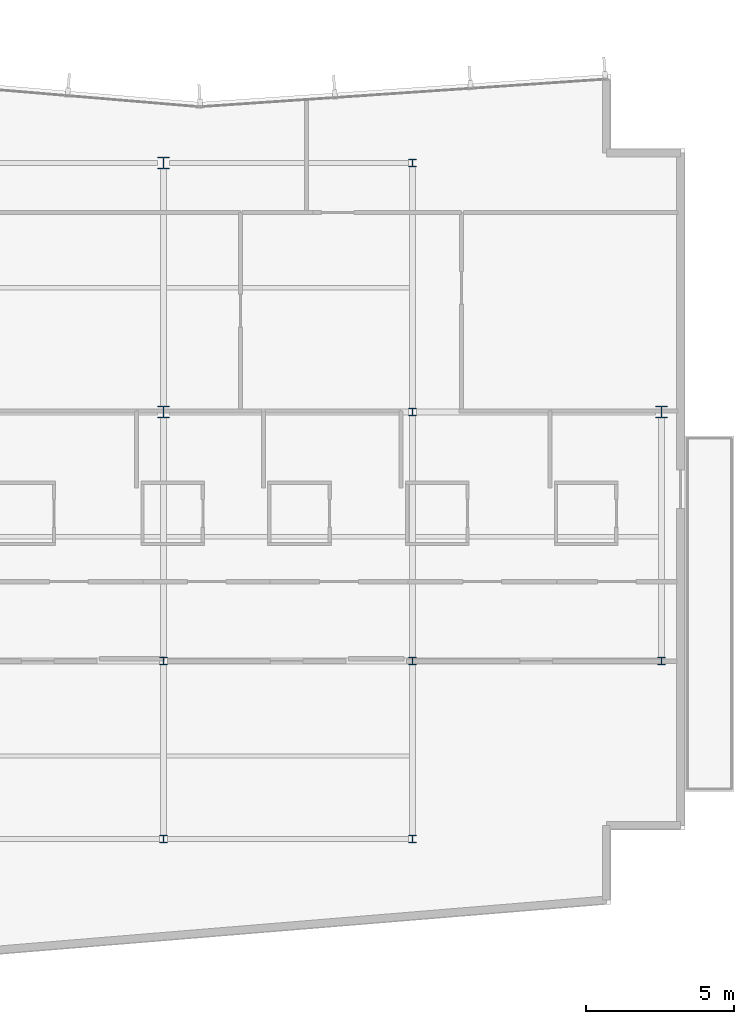
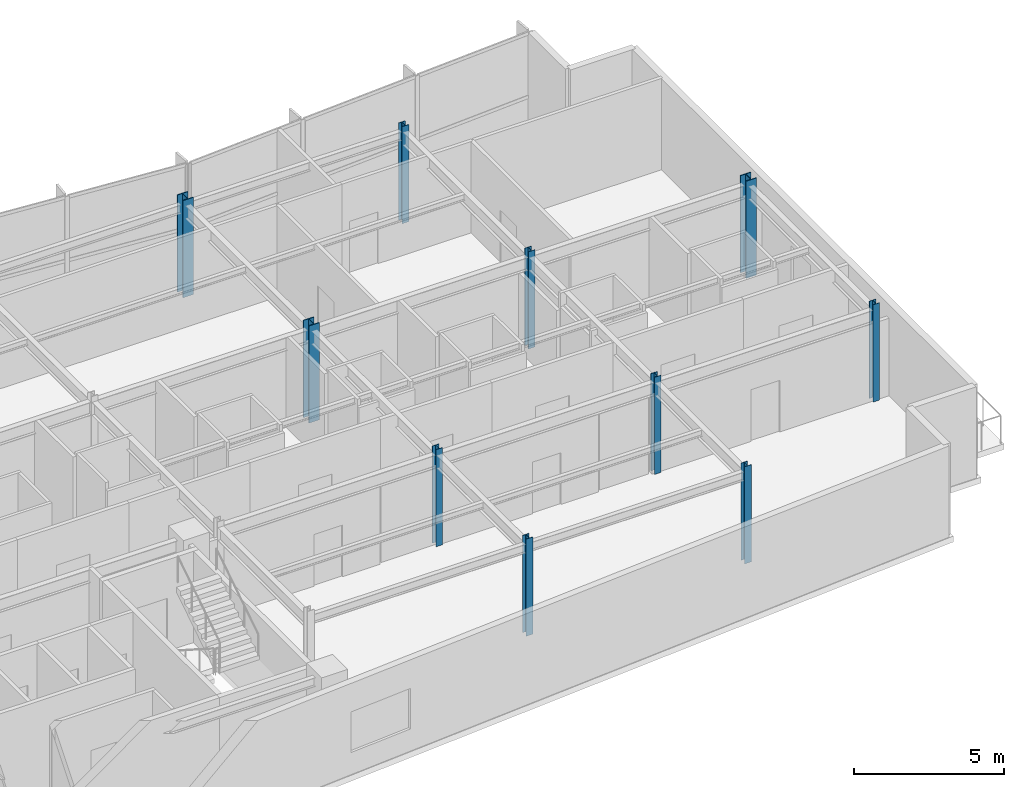
# One storey, part 2 of 15: 10 columns.
"""IFC4 building model written with IfcOpenShell, lengths in metres."""

from ifc_helpers import new_model, si_unit, direction, frame, origin, origin_2d, place, context, subcontext, project, spatial, i_section, extrude, material, material_profile, profile_set, type_object, element, save


model = new_model("IFC4")

# Units and contexts
model_context = context("Model", 3, precision=1e-05, world=origin(), true_north=direction((0.0, 1.0)))
body_context = subcontext(model_context, "Body", "Model", "MODEL_VIEW")
ifc_project = project(units=[si_unit("LENGTHUNIT", "METRE"), si_unit("AREAUNIT", "SQUARE_METRE"), si_unit("VOLUMEUNIT", "CUBIC_METRE"), si_unit("PLANEANGLEUNIT", "RADIAN"), si_unit("MASSUNIT", "GRAM", prefix="KILO")], contexts=[model_context])

# Site, building, storey
site_placement = place(None, origin())
site = spatial("IfcSite", under=ifc_project, at=site_placement, CompositionType="ELEMENT")
building_placement = place(site_placement, origin())
building = spatial("IfcBuilding", under=site, at=building_placement, Name="Varnakote Quay Hospital", CompositionType="ELEMENT")
storey_placement = place(building_placement, frame((0.0, 0.0, 200.0)))
storey = spatial("IfcBuildingStorey", under=building, at=storey_placement, Name="L49", CompositionType="ELEMENT", Elevation=200.0)

# Columns
ifc_material_1 = material(Name="Structural steel AS/NZS 3679.1 Grade 350 L0 (fy 340 MPa)", Category="steel")
ifc_material_profile_1 = material_profile(ifc_material_1, i_section(OverallWidth=0.256103515625, OverallDepth=0.260009765625, WebThickness=0.010498046875, FlangeThickness=0.017333984375, FilletRadius=0.0126953125, at=origin_2d()), Name="250UC89.5")
ifc_profile_set_1 = profile_set([ifc_material_profile_1], Name="Structural steel AS/NZS 3679.1 Grade 350 L0 (fy 340 MPa)")
column_type_1 = type_object("IfcColumnType", Name="COL-STL-250UC89-5", PredefinedType="COLUMN", material=ifc_profile_set_1)
for number, where, z_axis, x_axis, name in (
    (1, (33.60009765625, 6.0, 0.0), (0.0, 0.0, 1.0), (1.0, 0.0, 0.0), "L49 Structural Column C-34-6"),
    (2, (42.0, 6.0, 0.0), (0.0, 0.0, 1.0), (1.0, 0.0, 0.0), "L49 Structural Column C-42-6"),
    (3, (33.60009765625, 12.0, 0.0), (0.0, 0.0, 1.0), (1.0, 0.0, 0.0), "L49 Structural Column C-34-12"),
    (4, (42.0, 12.0, 0.0), (0.0, 0.0, 1.0), (1.0, 0.0, 0.0), "L49 Structural Column C-42-12"),
    (5, (50.39990234375, 12.0, 0.0), (0.0, 0.0, 1.0), (1.0, 0.0, 0.0), "L49 Structural Column C-50-12"),
    (6, (42.0, 20.39990234375, 0.0), (0.0, 0.0, 1.0), (1.0, 0.0, 0.0), "L49 Structural Column C-42-20"),
    (7, (42.0, 28.800048828125, 0.0), (0.0, 0.0, 1.0), (1.0, 0.0, 0.0), "L49 Structural Column C-42-29"),
):
    element("IfcColumn", number, at=place(storey_placement, frame(where, z_axis=z_axis, x_axis=x_axis)), inside=storey, type_object=column_type_1, Name=name, PredefinedType="COLUMN", context=body_context, shape_type="SweptSolid", body=[
        extrude(i_section(OverallWidth=0.256103515625, OverallDepth=0.260009765625, WebThickness=0.010498046875, FlangeThickness=0.017333984375, FilletRadius=0.0126953125, at=origin_2d()), origin(), (0.0, 0.0, 1.0), 3.949951171875),
    ])
ifc_material_2 = material(Name="Structural steel AS/NZS 3678 Grade 350 (fy 340 MPa)", Category="steel")
ifc_material_profile_2 = material_profile(ifc_material_2, i_section(OverallWidth=0.39990234375, OverallDepth=0.404052734375, WebThickness=0.02001953125, FlangeThickness=0.031982421875, at=origin_2d()), Name="400WC270")
ifc_profile_set_2 = profile_set([ifc_material_profile_2], Name="Structural steel AS/NZS 3678 Grade 350 (fy 340 MPa)")
column_type_2 = type_object("IfcColumnType", Name="COL-STL-400WC270", PredefinedType="COLUMN", material=ifc_profile_set_2)
for number, where, z_axis, x_axis, name in (
    (8, (33.60009765625, 20.39990234375, 0.0), (0.0, 0.0, 1.0), (1.0, 0.0, 0.0), "L49 Structural Column C-34-20"),
    (9, (50.39990234375, 20.39990234375, 0.0), (0.0, 0.0, 1.0), (1.0, 0.0, 0.0), "L49 Structural Column C-50-20"),
    (10, (33.60009765625, 28.800048828125, 0.0), (0.0, 0.0, 1.0), (1.0, 0.0, 0.0), "L49 Structural Column C-34-29"),
):
    element("IfcColumn", number, at=place(storey_placement, frame(where, z_axis=z_axis, x_axis=x_axis)), inside=storey, type_object=column_type_2, Name=name, PredefinedType="COLUMN", context=body_context, shape_type="SweptSolid", body=[
        extrude(i_section(OverallWidth=0.39990234375, OverallDepth=0.404052734375, WebThickness=0.02001953125, FlangeThickness=0.031982421875, at=origin_2d()), origin(), (0.0, 0.0, 1.0), 3.949951171875),
    ])

save(model, "model.ifc")
